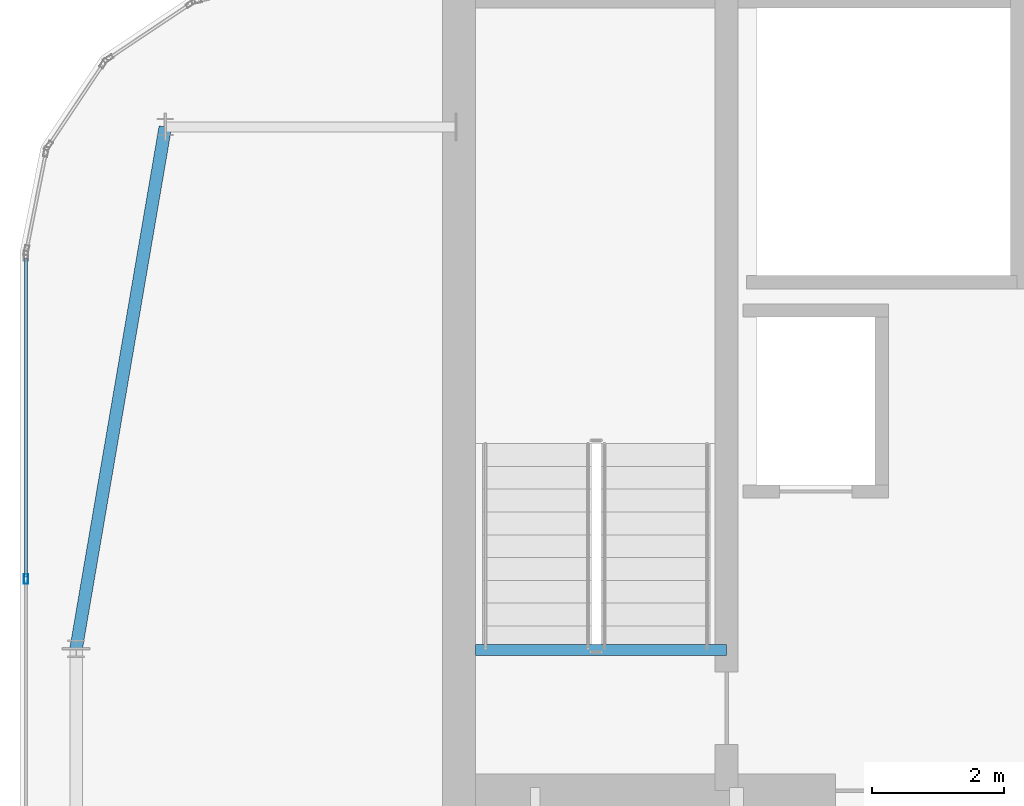
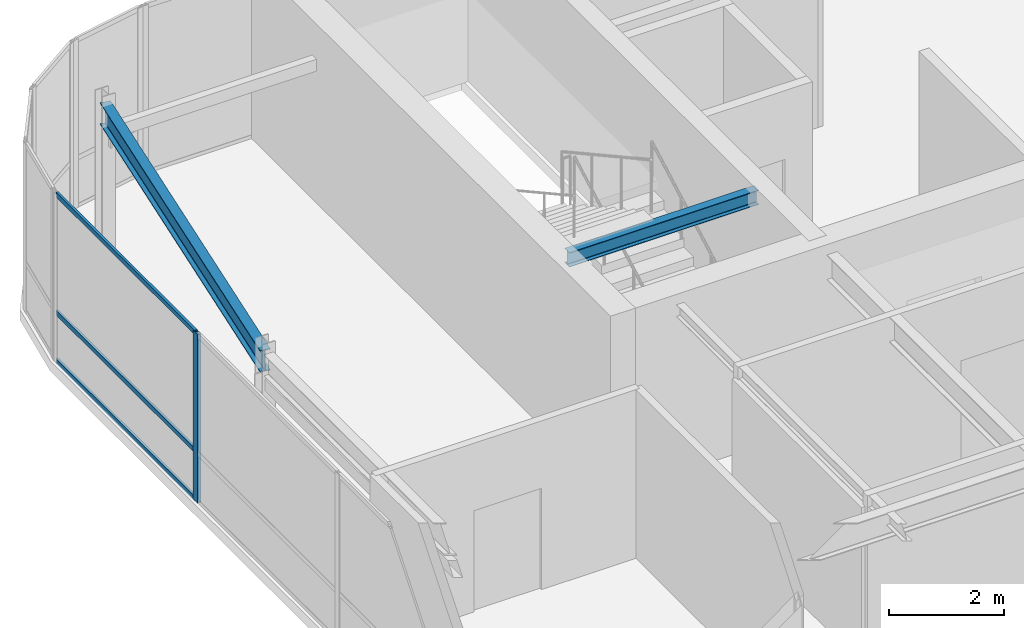
# One storey, part 19 of 36: 4 members, 2 beams, 1 element without a shape of its own.
"""IFC4 building model written with IfcOpenShell, lengths in metres."""

from ifc_helpers import new_model, si_unit, direction, frame, origin, origin_2d, place, context, subcontext, project, spatial, hollow_rectangle, i_section, extrude, source, transform, mapped, material, layer, layer_set, material_profile, profile_set, type_object, type_shapes, element, aggregate, save


model = new_model("IFC4")

# Units and contexts
model_context = context("Model", 3, precision=1e-05, world=origin(), true_north=direction((0.0, 1.0)))
body_context = subcontext(model_context, "Body", "Model", "MODEL_VIEW")
ifc_project = project(units=[si_unit("LENGTHUNIT", "METRE"), si_unit("AREAUNIT", "SQUARE_METRE"), si_unit("VOLUMEUNIT", "CUBIC_METRE"), si_unit("PLANEANGLEUNIT", "RADIAN"), si_unit("MASSUNIT", "GRAM", prefix="KILO")], contexts=[model_context])

# Site, building, storey
site_placement = place(None, origin())
site = spatial("IfcSite", under=ifc_project, at=site_placement, CompositionType="ELEMENT")
building_placement = place(site_placement, origin())
building = spatial("IfcBuilding", under=site, at=building_placement, Name="Tolvann Quenvar Hotel", CompositionType="ELEMENT")
storey_placement = place(building_placement, frame((0.0, 0.0, 294.75)))
storey = spatial("IfcBuildingStorey", under=building, at=storey_placement, Name="L78", CompositionType="ELEMENT", Elevation=294.75)

# Beams
ifc_material_1 = material(Name="Steel Grade 350", Category="steel")
ifc_material_profile_1 = material_profile(ifc_material_1, i_section(OverallWidth=0.166015625, OverallDepth=0.306884765625, WebThickness=0.006591796875, FlangeThickness=0.01171875, FilletRadius=0.011474609375, at=origin_2d()), Name="310UB46")
ifc_profile_set_1 = profile_set([ifc_material_profile_1], Name="Steel Grade 350")
beam_type_1 = type_object("IfcBeamType", Name="BM_JOIST_310UB46", PredefinedType="JOIST", material=ifc_profile_set_1)
shared_shape_1 = source(origin(), body_context, "Body", "SweptSolid", [
    extrude(i_section(OverallWidth=0.166015625, OverallDepth=0.306884765625, WebThickness=0.006591796875, FlangeThickness=0.01171875, FilletRadius=0.011474609375, at=origin_2d()), origin(), (0.0, 0.0, 1.0), 3.800048828125),
])
type_shapes(beam_type_1, [shared_shape_1])
beam_1_placement = place(storey_placement, frame((10.5, 33.97998046875, 3.426513671875), z_axis=(1.0, 0.0, 0.0), x_axis=(0.0, 1.0, 0.0)))
element("IfcBeam", 1, at=beam_1_placement, inside=storey, type_object=beam_type_1, Name="BM-HDR-STC1-L79", PredefinedType="JOIST", context=body_context, shape_type="MappedRepresentation", body=[
    mapped(shared_shape_1, transform((0.0, 0.0, 0.0), x_axis=(1.0, 0.0, 0.0), y_axis=(0.0, 1.0, 0.0), z_axis=(0.0, 0.0, 1.0), scale=1.0)),
])
ifc_material_profile_2 = material_profile(ifc_material_1, i_section(OverallWidth=0.19091796875, OverallDepth=0.4599609375, WebThickness=0.010009765625, FlangeThickness=0.01611328125, FilletRadius=0.011474609375, at=origin_2d()), Name="460UB82")
ifc_profile_set_2 = profile_set([ifc_material_profile_2], Name="Steel Grade 350")
beam_type_2 = type_object("IfcBeamType", Name="BM_SPAND_460UB82", PredefinedType="SPANDREL", material=ifc_profile_set_2)
shared_shape_2 = source(origin(), body_context, "Body", "SweptSolid", [
    extrude(i_section(OverallWidth=0.19091796875, OverallDepth=0.4599609375, WebThickness=0.010009765625, FlangeThickness=0.01611328125, FilletRadius=0.011474609375, at=origin_2d()), origin(), (0.0, 0.0, 1.0), 8.014404296875),
])
type_shapes(beam_type_2, [shared_shape_2])
beam_2_placement = place(storey_placement, frame((4.449951171875, 34.0, 3.35009765625), z_axis=(0.168458176532, 0.985708802213, 0.0), x_axis=(-0.985708802213, 0.168458176532, 0.0)))
element("IfcBeam", 2, at=beam_2_placement, inside=storey, type_object=beam_type_2, Name="BM-L78-FLK-W2", PredefinedType="SPANDREL", context=body_context, shape_type="MappedRepresentation", body=[
    mapped(shared_shape_2, transform((0.0, 0.0, 0.0), x_axis=(1.0, 0.0, 0.0), y_axis=(0.0, 1.0, 0.0), z_axis=(0.0, 0.0, 1.0), scale=1.0)),
])

# Curtain wall, members
ifc_material_2 = material(Name="Thermally broken anodised architectural aluminium 6063-T6 and laminated low-E glass", Category="aluminium")
ifc_layer = layer(ifc_material_2, 0.179931640625)
ifc_layer_set = layer_set([ifc_layer], Name="Thermally broken anodised architectural aluminium 6063-T6 and laminated low-E glass")
curtain_wall_type = type_object("IfcCurtainWallType", Name="CW_SYS_LANT_06", PredefinedType="USERDEFINED", material=ifc_layer_set)
curtain_wall_placement = place(storey_placement, origin())
curtain_wall = element("IfcCurtainWall", 3, at=curtain_wall_placement, inside=storey, type_object=curtain_wall_type, Name="Curtain Wall CW-LANT-06 (CWR-L78-E19)", ObjectType="UNITISED CURTAIN WALL", PredefinedType="USERDEFINED")
ifc_material_3 = material(Name="Anodised architectural aluminium 6063-T6 framing", Category="aluminium")
ifc_material_profile_3 = material_profile(ifc_material_3, hollow_rectangle(XDim=0.06494140625, YDim=0.14990234375, WallThickness=0.00390625, at=origin_2d()), Name="150x65x4RHS")
ifc_profile_set_3 = profile_set([ifc_material_profile_3], Name="Anodised architectural aluminium 6063-T6 framing")
member_type_1 = type_object("IfcMemberType", Name="CW_MULL_150x65", PredefinedType="MULLION", material=ifc_profile_set_3)
shared_shape_3 = source(origin(), body_context, "Body", "SweptSolid", [
    extrude(hollow_rectangle(XDim=0.06494140625, YDim=0.14990234375, WallThickness=0.00390625, at=origin_2d()), origin(), (0.0, 0.0, 1.0), 3.580078125),
])
type_shapes(member_type_1, [shared_shape_3])
member_1_placement = place(storey_placement, frame((3.68994140625, 35.05517578125, 0.0), z_axis=(0.0, 0.0, 1.0), x_axis=(1.0, 0.0, 0.0)))
member_1 = element("IfcMember", 4, at=member_1_placement, type_object=member_type_1, Name="CW-LANT-06 mullion 2", PredefinedType="MULLION", context=body_context, shape_type="MappedRepresentation", body=[
    mapped(shared_shape_3, transform((0.0, 0.0, 0.0), x_axis=(1.0, 0.0, 0.0), y_axis=(0.0, 1.0, 0.0), z_axis=(0.0, 0.0, 1.0), scale=1.0)),
])
ifc_material_profile_4 = material_profile(ifc_material_3, hollow_rectangle(XDim=0.050048828125, YDim=0.10009765625, WallThickness=0.0029296875, at=origin_2d()), Name="100x50x3RHS")
ifc_profile_set_4 = profile_set([ifc_material_profile_4], Name="Anodised architectural aluminium 6063-T6 framing")
member_type_2 = type_object("IfcMemberType", Name="CW_TRAN_100x50", PredefinedType="USERDEFINED", material=ifc_profile_set_4)
shared_shape_4 = source(origin(), body_context, "Body", "SweptSolid", [
    extrude(hollow_rectangle(XDim=0.050048828125, YDim=0.10009765625, WallThickness=0.0029296875, at=origin_2d()), origin(), (0.0, 0.0, 1.0), 4.830078125),
])
type_shapes(member_type_2, [shared_shape_4])
member_2_placement = place(storey_placement, frame((3.68994140625, 39.917724609375, 0.02490234375), z_axis=(0.0, -1.0, 0.0), x_axis=(1.0, 0.0, 0.0)))
member_2 = element("IfcMember", 5, at=member_2_placement, type_object=member_type_2, Name="CW-LANT-06 transom 1.1", ObjectType="TRANSOM", PredefinedType="USERDEFINED", context=body_context, shape_type="MappedRepresentation", body=[
    mapped(shared_shape_4, transform((0.0, 0.0, 0.0), x_axis=(1.0, 0.0, 0.0), y_axis=(0.0, 1.0, 0.0), z_axis=(0.0, 0.0, 1.0), scale=1.0)),
])
member_3_placement = place(storey_placement, frame((3.68994140625, 39.917724609375, 1.050048828125), z_axis=(0.0, -1.0, 0.0), x_axis=(1.0, 0.0, 0.0)))
member_3 = element("IfcMember", 6, at=member_3_placement, type_object=member_type_2, Name="CW-LANT-06 transom 1.2", ObjectType="TRANSOM", PredefinedType="USERDEFINED", context=body_context, shape_type="MappedRepresentation", body=[
    mapped(shared_shape_4, transform((0.0, 0.0, 0.0), x_axis=(1.0, 0.0, 0.0), y_axis=(0.0, 1.0, 0.0), z_axis=(0.0, 0.0, 1.0), scale=1.0)),
])
member_4_placement = place(storey_placement, frame((3.68994140625, 39.917724609375, 3.554931640625), z_axis=(0.0, -1.0, 0.0), x_axis=(1.0, 0.0, 0.0)))
member_4 = element("IfcMember", 7, at=member_4_placement, type_object=member_type_2, Name="CW-LANT-06 transom 1.3", ObjectType="TRANSOM", PredefinedType="USERDEFINED", context=body_context, shape_type="MappedRepresentation", body=[
    mapped(shared_shape_4, transform((0.0, 0.0, 0.0), x_axis=(1.0, 0.0, 0.0), y_axis=(0.0, 1.0, 0.0), z_axis=(0.0, 0.0, 1.0), scale=1.0)),
])
aggregate(curtain_wall, [member_1, member_2, member_3, member_4])

save(model, "model.ifc")
